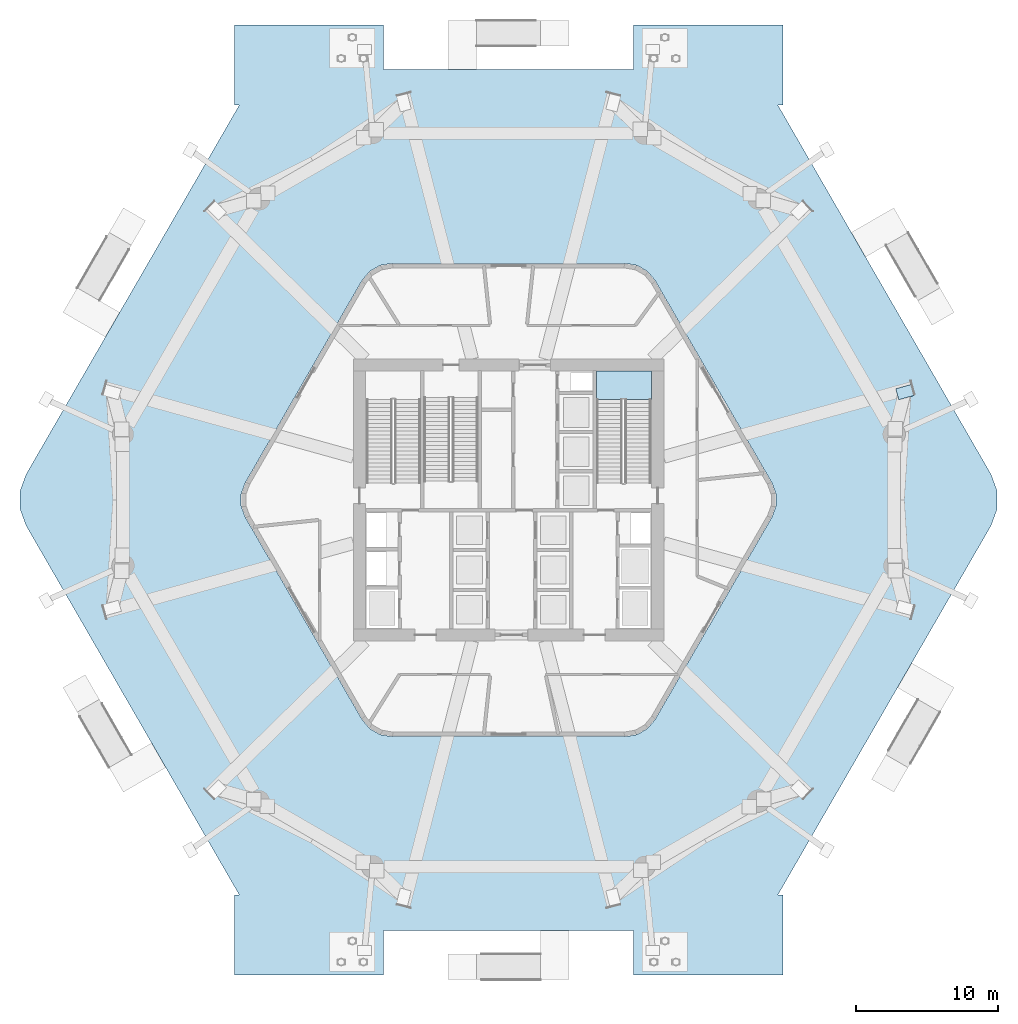
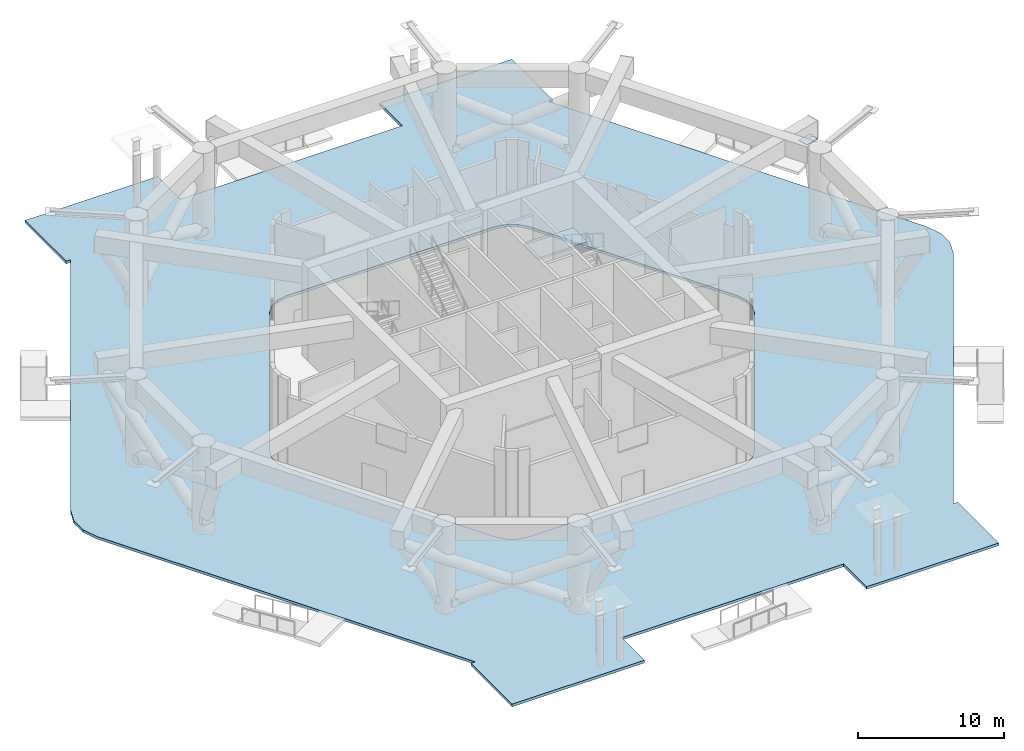
# One storey, part 7 of 17: 2 slabs, 1 plate, 1 element without a shape of its own.
"""IFC4 building model written with IfcOpenShell, lengths in metres."""

from ifc_helpers import new_model, si_unit, direction, frame, origin, origin_2d, place, context, subcontext, project, spatial, polyline, rectangle, outline, extrude, material, layer, layer_set, type_object, element, aggregate, save


model = new_model("IFC4")

# Units and contexts
model_context = context("Model", 3, precision=1e-05, world=origin(), true_north=direction((0.0, 1.0)))
body_context = subcontext(model_context, "Body", "Model", "MODEL_VIEW")
ifc_project = project(units=[si_unit("LENGTHUNIT", "METRE"), si_unit("AREAUNIT", "SQUARE_METRE"), si_unit("VOLUMEUNIT", "CUBIC_METRE"), si_unit("PLANEANGLEUNIT", "RADIAN"), si_unit("MASSUNIT", "GRAM", prefix="KILO")], contexts=[model_context])

# Site, building, storey
site_placement = place(None, origin())
site = spatial("IfcSite", under=ifc_project, at=site_placement, CompositionType="ELEMENT")
building_placement = place(site_placement, origin())
building = spatial("IfcBuilding", under=site, at=building_placement, Name="Zuhravey Tower", CompositionType="ELEMENT")
storey_placement = place(building_placement, origin())
storey = spatial("IfcBuildingStorey", under=building, at=storey_placement, Name="L01", CompositionType="ELEMENT", Elevation=0.0)

# Stair, slab
ifc_material_1 = material(Name="Concrete C40/50", Category="concrete")
stair_type = type_object("IfcStairType", Name="Stilt Ground Stair Assembly 7800", PredefinedType="HALF_TURN_STAIR", material=ifc_material_1)
stair_placement = place(storey_placement, origin())
stair = element("IfcStair", 1, at=stair_placement, inside=storey, type_object=stair_type, Name="L01 Core Exit Stair ST2", PredefinedType="HALF_TURN_STAIR")
ifc_layer_1 = layer(ifc_material_1, 0.199951171875)
ifc_layer_set_1 = layer_set([ifc_layer_1], Name="Concrete C40/50")
slab_type_1 = type_object("IfcSlabType", Name="Stair Landing Slab 200", PredefinedType="LANDING", material=ifc_layer_set_1)
slab_1_placement = place(storey_placement, frame((0.0, 0.0, 3.699951171875)))
slab_1 = element("IfcSlab", 2, at=slab_1_placement, type_object=slab_type_1, Name="ST2 landing 1", PredefinedType="LANDING", context=body_context, shape_type="SweptSolid", body=[
    extrude(outline(polyline([(46.072998046875, 39.080078125), (46.072998046875, 41.072998046875), (42.199951171875, 41.072998046875), (42.199951171875, 39.080078125), (46.072998046875, 39.080078125)])), origin(), (0.0, 0.0, 1.0), 0.199951171875),
])
aggregate(stair, [slab_1])

# Plate
ifc_material_2 = material(Name="Steel SM460", Category="steel")
ifc_layer_2 = layer(ifc_material_2, 0.0400390625)
ifc_layer_set_2 = layer_set([ifc_layer_2], Name="Steel SM460")
plate_type = type_object("IfcPlateType", Name="Stilt Transfer Node Plate ND5", PredefinedType="SHEET", material=ifc_layer_set_2)
plate_placement = place(storey_placement, frame((63.88916015625, 39.591552734375, 5.910400390625), z_axis=(0.0, 0.0, 1.0), x_axis=(0.963490395436, 0.267742895148, 0.0)))
element("IfcPlate", 3, at=plate_placement, inside=storey, type_object=plate_type, Name="L01 Transfer Node Gusset ND5-T01", PredefinedType="SHEET", context=body_context, shape_type="SweptSolid", body=[
    extrude(rectangle(XDim=1.10009765625, YDim=0.800048828125, at=origin_2d()), origin(), (0.0, 0.0, 1.0), 0.0400390625),
])

# Slab
ifc_material_3 = material(Name="Granite paving on Concrete C40/50", Category="masonry")
ifc_layer_3 = layer(ifc_material_3, 0.219970703125)
ifc_layer_set_3 = layer_set([ifc_layer_3], Name="Granite paving on Concrete C40/50")
slab_type_2 = type_object("IfcSlabType", Name="Stilt Waterfront Plaza Paving 220", PredefinedType="USERDEFINED", material=ifc_layer_set_3)
slab_2_placement = place(storey_placement, frame((0.0, 0.0, -0.219970703125)))
element("IfcSlab", 4, at=slab_2_placement, inside=storey, type_object=slab_type_2, Name="L01 Waterfront Plaza Paving PV22", ObjectType="PAVING", PredefinedType="USERDEFINED", context=body_context, shape_type="SweptSolid", body=[
    extrude(outline(polyline([(69.960693359375, 33.800048828125), (70.388427734375, 32.625), (70.388427734375, 31.375), (69.960693359375, 30.199951171875), (54.94970703125, 4.199951171875), (55.300048828125, 4.199951171875), (55.300048828125, -1.449951171875), (44.800048828125, -1.449951171875), (44.800048828125, 1.689208984375), (27.199951171875, 1.689208984375), (27.199951171875, -1.449951171875), (16.699951171875, -1.449951171875), (16.699951171875, 4.199951171875), (17.05029296875, 4.199951171875), (2.039306640625, 30.199951171875), (1.611572265625, 31.375), (1.611572265625, 32.625), (2.039306640625, 33.800048828125), (17.05029296875, 59.800048828125), (16.699951171875, 59.800048828125), (16.699951171875, 65.449951171875), (27.199951171875, 65.449951171875), (27.199951171875, 62.310791015625), (44.800048828125, 62.310791015625), (44.800048828125, 65.449951171875), (55.300048828125, 65.449951171875), (55.300048828125, 59.800048828125), (54.94970703125, 59.800048828125), (69.960693359375, 33.800048828125)]), holes=[polyline([(54.537109375, 30.800048828125), (54.822265625, 31.583251953125), (54.822265625, 32.416748046875), (54.537109375, 33.199951171875), (46.307861328125, 47.45361328125), (45.77197265625, 48.09228515625), (45.05029296875, 48.5087890625), (44.2294921875, 48.65380859375), (27.7705078125, 48.65380859375), (26.94970703125, 48.5087890625), (26.22802734375, 48.09228515625), (25.692138671875, 47.45361328125), (17.462890625, 33.199951171875), (17.177734375, 32.416748046875), (17.177734375, 31.583251953125), (17.462890625, 30.800048828125), (25.692138671875, 16.54638671875), (26.22802734375, 15.90771484375), (26.94970703125, 15.4912109375), (27.7705078125, 15.34619140625), (44.2294921875, 15.34619140625), (45.05029296875, 15.4912109375), (45.77197265625, 15.90771484375), (46.307861328125, 16.54638671875), (54.537109375, 30.800048828125)])]), origin(), (0.0, 0.0, 1.0), 0.219970703125),
])

save(model, "model.ifc")
